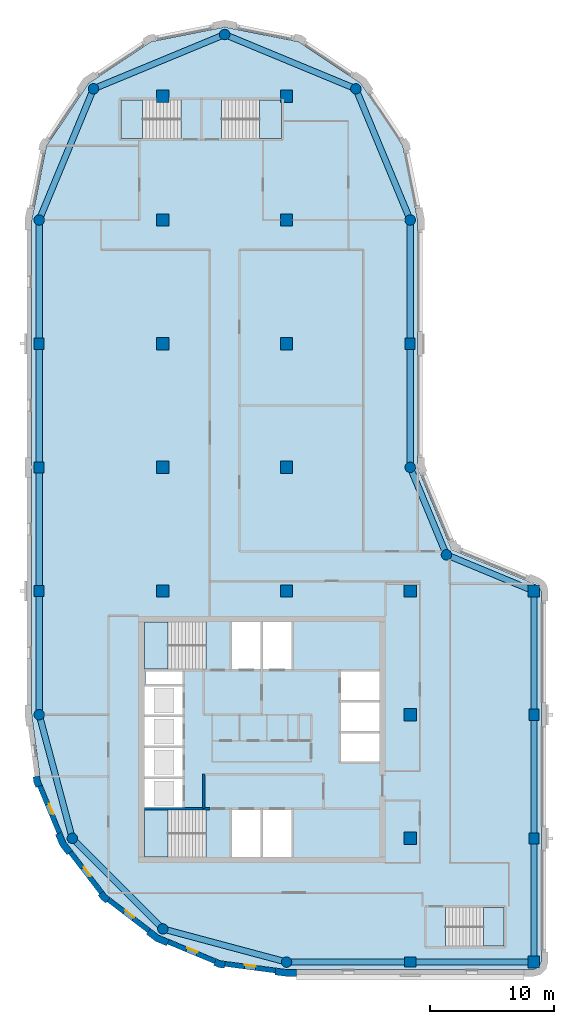
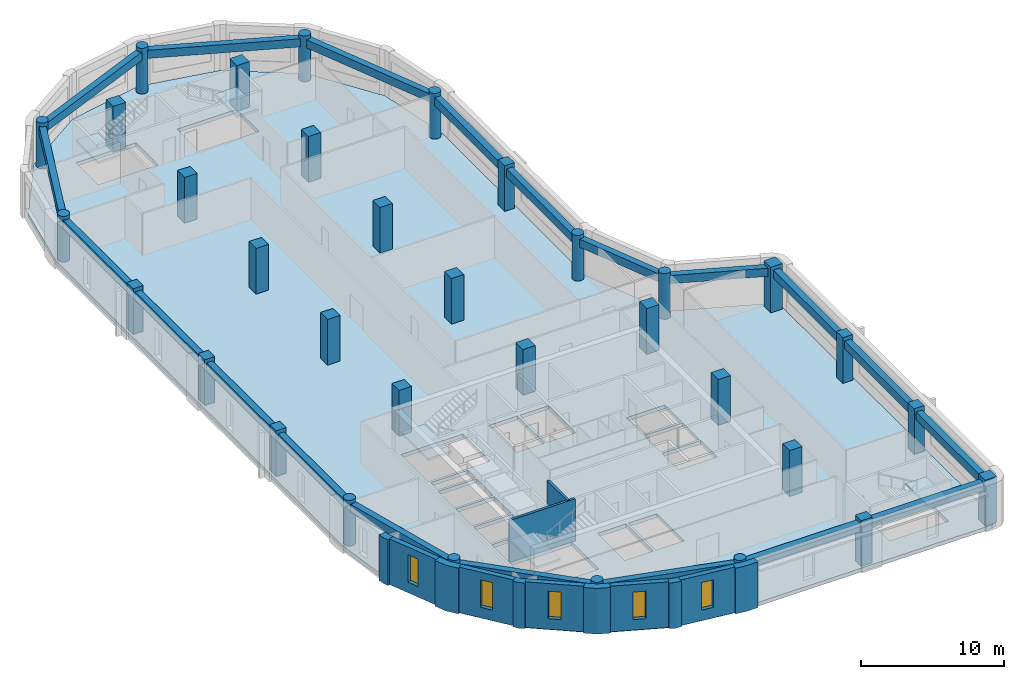
# One storey, part 1 of 8: 33 columns, 20 beams, 13 walls, 6 slabs, 5 windows, 5 openings, 5 elements without a shape of their own.
"""IFC4 building model written with IfcOpenShell, lengths in metres."""

from ifc_helpers import new_model, si_unit, direction, frame, frame_2d, origin, origin_2d, place, context, subcontext, project, spatial, polyline, rectangle, circle, outline, extrude, material, layer, layer_set, material_profile, profile_set, type_object, element, fill, aggregate, save


model = new_model("IFC4")

# Units and contexts
model_context = context("Model", 3, precision=1e-05, world=origin(), true_north=direction((0.0, 1.0)))
body_context = subcontext(model_context, "Body", "Model", "MODEL_VIEW")
ifc_project = project(units=[si_unit("LENGTHUNIT", "METRE"), si_unit("AREAUNIT", "SQUARE_METRE"), si_unit("VOLUMEUNIT", "CUBIC_METRE"), si_unit("PLANEANGLEUNIT", "RADIAN"), si_unit("MASSUNIT", "GRAM", prefix="KILO")], contexts=[model_context])

# Site, building, storey
site_placement = place(None, origin())
site = spatial("IfcSite", under=ifc_project, at=site_placement, CompositionType="ELEMENT")
building_placement = place(site_placement, origin())
building = spatial("IfcBuilding", under=site, at=building_placement, Name="Qaws Garden Tower", CompositionType="ELEMENT")
storey_placement = place(building_placement, frame((0.0, 0.0, 341.10009765625)))
storey = spatial("IfcBuildingStorey", under=building, at=storey_placement, Name="L83", CompositionType="ELEMENT", Elevation=341.10009765625)

# Columns
ifc_material_1 = material(Name="Concrete C60", Category="concrete")
ifc_material_profile_1 = material_profile(ifc_material_1, rectangle(XDim=1.0, YDim=1.0, at=origin_2d()), Name="RC 1000x1000")
ifc_profile_set_1 = profile_set([ifc_material_profile_1], Name="Concrete C60")
column_type_1 = type_object("IfcColumnType", Name="Column RC 1000x1000 C60", PredefinedType="COLUMN", material=ifc_profile_set_1)
for number, where, z_axis, x_axis, name in (
    (1, (10.0, 30.0, 0.0), (0.0, 0.0, 1.0), (1.0, 0.0, 0.0), "Column L83-021"),
    (2, (10.0, 40.0, 0.0), (0.0, 0.0, 1.0), (1.0, 0.0, 0.0), "Column L83-022"),
    (3, (10.0, 50.0, 0.0), (0.0, 0.0, 1.0), (1.0, 0.0, 0.0), "Column L83-023"),
    (4, (10.0, 60.0, 0.0), (0.0, 0.0, 1.0), (1.0, 0.0, 0.0), "Column L83-024"),
    (5, (10.0, 70.0, 0.0), (0.0, 0.0, 1.0), (1.0, 0.0, 0.0), "Column L83-025"),
    (6, (20.0, 30.0, 0.0), (0.0, 0.0, 1.0), (1.0, 0.0, 0.0), "Column L83-026"),
    (7, (20.0, 40.0, 0.0), (0.0, 0.0, 1.0), (1.0, 0.0, 0.0), "Column L83-027"),
    (8, (20.0, 50.0, 0.0), (0.0, 0.0, 1.0), (1.0, 0.0, 0.0), "Column L83-028"),
    (9, (20.0, 60.0, 0.0), (0.0, 0.0, 1.0), (1.0, 0.0, 0.0), "Column L83-029"),
    (10, (20.0, 70.0, 0.0), (0.0, 0.0, 1.0), (1.0, 0.0, 0.0), "Column L83-030"),
    (11, (30.0, 10.0, 0.0), (0.0, 0.0, 1.0), (1.0, 0.0, 0.0), "Column L83-031"),
    (12, (30.0, 20.0, 0.0), (0.0, 0.0, 1.0), (1.0, 0.0, 0.0), "Column L83-032"),
    (13, (30.0, 30.0, 0.0), (0.0, 0.0, 1.0), (1.0, 0.0, 0.0), "Column L83-033"),
):
    element("IfcColumn", number, at=place(storey_placement, frame(where, z_axis=z_axis, x_axis=x_axis)), inside=storey, type_object=column_type_1, Name=name, PredefinedType="COLUMN", context=body_context, shape_type="SweptSolid", body=[
        extrude(rectangle(XDim=1.0, YDim=1.0, at=origin_2d()), origin(), (0.0, 0.0, 1.0), 3.89990234375),
    ])
ifc_material_2 = material(Name="Concrete C60", Category="concrete")
ifc_material_profile_2 = material_profile(ifc_material_2, rectangle(XDim=0.89990234375, YDim=0.800048828125, at=origin_2d()), Name="RC 900x800")
ifc_profile_set_2 = profile_set([ifc_material_profile_2], Name="Concrete C60")
column_type_2 = type_object("IfcColumnType", Name="Column RC 900x800 C60", PredefinedType="COLUMN", material=ifc_profile_set_2)
for number, where, z_axis, x_axis, name in (
    (14, (30.0, 0.0, 0.0), (0.0, 0.0, 1.0), (1.0, 0.0, 0.0), "Column L83-002"),
    (15, (40.0, 10.0, 0.0), (0.0, 0.0, 1.0), (0.0, 1.0, 0.0), "Column L83-004"),
    (16, (40.0, 20.0, 0.0), (0.0, 0.0, 1.0), (0.0, 1.0, 0.0), "Column L83-005"),
    (17, (30.0, 50.0, 0.0), (0.0, 0.0, 1.0), (0.0, 1.0, 0.0), "Column L83-009"),
    (18, (0.0, 50.0, 0.0), (0.0, 0.0, 1.0), (0.0, 1.0, 0.0), "Column L83-015"),
    (19, (0.0, 40.0, 0.0), (0.0, 0.0, 1.0), (0.0, 1.0, 0.0), "Column L83-016"),
    (20, (0.0, 30.0, 0.0), (0.0, 0.0, 1.0), (0.0, 1.0, 0.0), "Column L83-017"),
):
    element("IfcColumn", number, at=place(storey_placement, frame(where, z_axis=z_axis, x_axis=x_axis)), inside=storey, type_object=column_type_2, Name=name, PredefinedType="COLUMN", context=body_context, shape_type="SweptSolid", body=[
        extrude(rectangle(XDim=0.89990234375, YDim=0.800048828125, at=origin_2d()), origin(), (0.0, 0.0, 1.0), 3.89990234375),
    ])
ifc_material_3 = material(Name="Concrete C60", Category="concrete")
ifc_material_profile_3 = material_profile(ifc_material_3, rectangle(XDim=0.949951171875, YDim=0.949951171875, at=origin_2d()), Name="RC 950x950")
ifc_profile_set_3 = profile_set([ifc_material_profile_3], Name="Concrete C60")
column_type_3 = type_object("IfcColumnType", Name="Column RC 950x950 C60", PredefinedType="COLUMN", material=ifc_profile_set_3)
for number, where, z_axis, x_axis, name in (
    (21, (40.0, 0.0, 0.0), (0.0, 0.0, 1.0), (1.0, 0.0, 0.0), "Column L83-003"),
    (22, (40.0, 30.0, 0.0), (0.0, 0.0, 1.0), (1.0, 0.0, 0.0), "Column L83-006"),
):
    element("IfcColumn", number, at=place(storey_placement, frame(where, z_axis=z_axis, x_axis=x_axis)), inside=storey, type_object=column_type_3, Name=name, PredefinedType="COLUMN", context=body_context, shape_type="SweptSolid", body=[
        extrude(rectangle(XDim=0.949951171875, YDim=0.949951171875, at=origin_2d()), origin(), (0.0, 0.0, 1.0), 3.89990234375),
    ])
ifc_material_4 = material(Name="Concrete C60", Category="concrete")
ifc_material_profile_4 = material_profile(ifc_material_4, circle(Radius=0.425048828125, at=origin_2d()), Name="RC D850")
ifc_profile_set_4 = profile_set([ifc_material_profile_4], Name="Concrete C60")
column_type_4 = type_object("IfcColumnType", Name="Column RC D850 C60", PredefinedType="COLUMN", material=ifc_profile_set_4)
for number, where, z_axis, x_axis, name in (
    (23, (20.0, 0.0, 0.0), (0.0, 0.0, 1.0), (1.0, 0.0, 0.0), "Column L83-001"),
    (24, (32.928955078125, 32.928955078125, 0.0), (0.0, 0.0, 1.0), (1.0, 0.0, 0.0), "Column L83-007"),
    (25, (30.0, 40.0, 0.0), (0.0, 0.0, 1.0), (1.0, 0.0, 0.0), "Column L83-008"),
    (26, (30.0, 60.0, 0.0), (0.0, 0.0, 1.0), (1.0, 0.0, 0.0), "Column L83-010"),
    (27, (25.606689453125, 70.606689453125, 0.0), (0.0, 0.0, 1.0), (1.0, 0.0, 0.0), "Column L83-011"),
    (28, (15.0, 75.0, 0.0), (0.0, 0.0, 1.0), (1.0, 0.0, 0.0), "Column L83-012"),
    (29, (4.393310546875, 70.606689453125, 0.0), (0.0, 0.0, 1.0), (1.0, 0.0, 0.0), "Column L83-013"),
    (30, (0.0, 60.0, 0.0), (0.0, 0.0, 1.0), (1.0, 0.0, 0.0), "Column L83-014"),
    (31, (0.0, 20.0, 0.0), (0.0, 0.0, 1.0), (1.0, 0.0, 0.0), "Column L83-018"),
    (32, (2.679443359375, 10.0, 0.0), (0.0, 0.0, 1.0), (1.0, 0.0, 0.0), "Column L83-019"),
    (33, (10.0, 2.679443359375, 0.0), (0.0, 0.0, 1.0), (1.0, 0.0, 0.0), "Column L83-020"),
):
    element("IfcColumn", number, at=place(storey_placement, frame(where, z_axis=z_axis, x_axis=x_axis)), inside=storey, type_object=column_type_4, Name=name, PredefinedType="COLUMN", context=body_context, shape_type="SweptSolid", body=[
        extrude(circle(Radius=0.425048828125, at=origin_2d()), origin(), (0.0, 0.0, 1.0), 3.89990234375),
    ])

# Beams
ifc_material_5 = material(Name="Concrete C45", Category="concrete")
ifc_material_profile_5 = material_profile(ifc_material_5, rectangle(XDim=0.5, YDim=0.699951171875, at=origin_2d()), Name="RC 500x700")
ifc_profile_set_5 = profile_set([ifc_material_profile_5], Name="Concrete C45")
beam_type = type_object("IfcBeamType", Name="Spandrel beam RC 500x700 C45", PredefinedType="SPANDREL", material=ifc_profile_set_5)
for number, where, z_axis, x_axis, name in (
    (34, (20.0, 0.0, 3.22998046875), (1.0, 0.0, 0.0), (0.0, 1.0, 0.0), "Spandrel beam L83-001"),
    (35, (30.0, 0.0, 3.22998046875), (1.0, 0.0, 0.0), (0.0, 1.0, 0.0), "Spandrel beam L83-002"),
    (36, (40.0, 0.0, 3.22998046875), (0.0, 1.0, 0.0), (-1.0, 0.0, 0.0), "Spandrel beam L83-003"),
    (37, (40.0, 10.0, 3.22998046875), (0.0, 1.0, 0.0), (-1.0, 0.0, 0.0), "Spandrel beam L83-004"),
    (38, (40.0, 20.0, 3.22998046875), (0.0, 1.0, 0.0), (-1.0, 0.0, 0.0), "Spandrel beam L83-005"),
):
    element("IfcBeam", number, at=place(storey_placement, frame(where, z_axis=z_axis, x_axis=x_axis)), inside=storey, type_object=beam_type, Name=name, PredefinedType="SPANDREL", context=body_context, shape_type="SweptSolid", body=[
        extrude(rectangle(XDim=0.5, YDim=0.699951171875, at=origin_2d()), origin(), (0.0, 0.0, 1.0), 10.0),
    ])
for number, where, z_axis, x_axis, name in (
    (39, (40.0, 30.0, 3.22998046875), (-0.923878037141, 0.382687042488, 0.0), (-0.382687042488, -0.923878037141, 0.0), "Spandrel beam L83-006"),
    (40, (32.928955078125, 32.928955078125, 3.22998046875), (-0.382687042488, 0.923878037141, 0.0), (-0.923878037141, -0.382687042488, 0.0), "Spandrel beam L83-007"),
):
    element("IfcBeam", number, at=place(storey_placement, frame(where, z_axis=z_axis, x_axis=x_axis)), inside=storey, type_object=beam_type, Name=name, PredefinedType="SPANDREL", context=body_context, shape_type="SweptSolid", body=[
        extrude(rectangle(XDim=0.5, YDim=0.699951171875, at=origin_2d()), origin(), (0.0, 0.0, 1.0), 7.653564453125),
    ])
for number, where, z_axis, x_axis, name in (
    (41, (30.0, 40.0, 3.22998046875), (0.0, 1.0, 0.0), (-1.0, 0.0, 0.0), "Spandrel beam L83-008"),
    (42, (30.0, 50.0, 3.22998046875), (0.0, 1.0, 0.0), (-1.0, 0.0, 0.0), "Spandrel beam L83-009"),
):
    element("IfcBeam", number, at=place(storey_placement, frame(where, z_axis=z_axis, x_axis=x_axis)), inside=storey, type_object=beam_type, Name=name, PredefinedType="SPANDREL", context=body_context, shape_type="SweptSolid", body=[
        extrude(rectangle(XDim=0.5, YDim=0.699951171875, at=origin_2d()), origin(), (0.0, 0.0, 1.0), 10.0),
    ])
for number, where, z_axis, x_axis, name in (
    (43, (30.0, 60.0, 3.22998046875), (-0.382674207535, 0.923883353507, 0.0), (-0.923883353507, -0.382674207535, 0.0), "Spandrel beam L83-010"),
    (44, (25.606689453125, 70.606689453125, 3.22998046875), (-0.923883353507, 0.382674207535, 0.0), (-0.382674207535, -0.923883353507, 0.0), "Spandrel beam L83-011"),
    (45, (15.0, 75.0, 3.22998046875), (-0.923883353507, -0.382674207535, 0.0), (0.382674207535, -0.923883353507, 0.0), "Spandrel beam L83-012"),
    (46, (4.393310546875, 70.606689453125, 3.22998046875), (-0.382674207535, -0.923883353507, 0.0), (0.923883353507, -0.382674207535, 0.0), "Spandrel beam L83-013"),
):
    element("IfcBeam", number, at=place(storey_placement, frame(where, z_axis=z_axis, x_axis=x_axis)), inside=storey, type_object=beam_type, Name=name, PredefinedType="SPANDREL", context=body_context, shape_type="SweptSolid", body=[
        extrude(rectangle(XDim=0.5, YDim=0.699951171875, at=origin_2d()), origin(), (0.0, 0.0, 1.0), 11.48046875),
    ])
for number, where, z_axis, x_axis, name in (
    (47, (0.0, 60.0, 3.22998046875), (0.0, -1.0, 0.0), (1.0, 0.0, 0.0), "Spandrel beam L83-014"),
    (48, (0.0, 50.0, 3.22998046875), (0.0, -1.0, 0.0), (1.0, 0.0, 0.0), "Spandrel beam L83-015"),
    (49, (0.0, 40.0, 3.22998046875), (0.0, -1.0, 0.0), (1.0, 0.0, 0.0), "Spandrel beam L83-016"),
    (50, (0.0, 30.0, 3.22998046875), (0.0, -1.0, 0.0), (1.0, 0.0, 0.0), "Spandrel beam L83-017"),
):
    element("IfcBeam", number, at=place(storey_placement, frame(where, z_axis=z_axis, x_axis=x_axis)), inside=storey, type_object=beam_type, Name=name, PredefinedType="SPANDREL", context=body_context, shape_type="SweptSolid", body=[
        extrude(rectangle(XDim=0.5, YDim=0.699951171875, at=origin_2d()), origin(), (0.0, 0.0, 1.0), 10.0),
    ])
for number, where, z_axis, x_axis, name in (
    (51, (0.0, 20.0, 3.22998046875), (0.25881466832, -0.965926999034, 0.0), (0.965926999034, 0.25881466832, 0.0), "Spandrel beam L83-018"),
    (52, (2.679443359375, 10.0, 3.22998046875), (0.707106781187, -0.707106781187, 0.0), (0.707106781187, 0.707106781187, 0.0), "Spandrel beam L83-019"),
    (53, (10.0, 2.679443359375, 3.22998046875), (0.965926999034, -0.25881466832, 0.0), (0.25881466832, 0.965926999034, 0.0), "Spandrel beam L83-020"),
):
    element("IfcBeam", number, at=place(storey_placement, frame(where, z_axis=z_axis, x_axis=x_axis)), inside=storey, type_object=beam_type, Name=name, PredefinedType="SPANDREL", context=body_context, shape_type="SweptSolid", body=[
        extrude(rectangle(XDim=0.5, YDim=0.699951171875, at=origin_2d()), origin(), (0.0, 0.0, 1.0), 10.352783203125),
    ])

# Slab
ifc_material_6 = material(Name="Concrete C40", Category="concrete")
ifc_layer_1 = layer(ifc_material_6, 0.320068359375)
ifc_layer_set_1 = layer_set([ifc_layer_1], Name="Concrete C40")
slab_type_1 = type_object("IfcSlabType", Name="Floor slab 320 C40", PredefinedType="FLOOR", material=ifc_layer_set_1)
slab_1_placement = place(storey_placement, frame((0.0, 0.0, -0.320068359375)))
element("IfcSlab", 54, at=slab_1_placement, inside=storey, type_object=slab_type_1, Name="Floor slab L83", PredefinedType="FLOOR", context=body_context, shape_type="SweptSolid", body=[
    extrude(outline(polyline([(0.101806640625, 14.668212890625), (-0.60009765625, 20.0), (-0.60009765625, 30.60009765625), (-0.60009765625, 60.0), (-0.60009765625, 60.0), (0.58740234375, 65.969970703125), (3.968994140625, 71.031005859375), (9.030029296875, 74.41259765625), (15.0, 75.60009765625), (20.969970703125, 74.41259765625), (26.031005859375, 71.031005859375), (29.41259765625, 65.969970703125), (30.60009765625, 60.0), (30.60009765625, 40.0), (33.353271484375, 33.353271484375), (40.0, 30.60009765625), (40.42431640625, 30.42431640625), (40.60009765625, 30.0), (40.60009765625, 0.0), (40.42431640625, -0.42431640625), (40.0, -0.60009765625), (30.60009765625, -0.60009765625), (20.0, -0.60009765625), (14.668212890625, 0.101806640625), (9.699951171875, 2.159912109375), (5.43359375, 5.43359375), (2.159912109375, 9.699951171875), (0.101806640625, 14.668212890625)]), holes=[polyline([(13.49951171875, 12.300048828125), (8.5, 12.300048828125), (8.5, 8.5), (13.49951171875, 8.5), (13.49951171875, 12.300048828125)]), polyline([(17.89990234375, 12.300048828125), (15.60009765625, 12.300048828125), (15.60009765625, 8.5), (17.89990234375, 8.5), (17.89990234375, 12.300048828125)]), polyline([(11.60009765625, 14.800048828125), (8.5, 14.800048828125), (8.5, 12.5), (11.60009765625, 12.5), (11.60009765625, 14.800048828125)]), polyline([(11.60009765625, 17.300048828125), (8.5, 17.300048828125), (8.5, 15.0), (11.60009765625, 15.0), (11.60009765625, 17.300048828125)]), polyline([(11.60009765625, 19.800048828125), (8.5, 19.800048828125), (8.5, 17.5), (11.60009765625, 17.5), (11.60009765625, 19.800048828125)]), polyline([(11.60009765625, 22.300048828125), (8.5, 22.300048828125), (8.5, 20.0), (11.60009765625, 20.0), (11.60009765625, 22.300048828125)]), polyline([(11.60009765625, 23.5), (8.60009765625, 23.5), (8.60009765625, 22.5), (11.60009765625, 22.5), (11.60009765625, 23.5)]), polyline([(13.49951171875, 27.5), (8.5, 27.5), (8.5, 23.699951171875), (13.49951171875, 23.699951171875), (13.49951171875, 27.5)]), polyline([(11.449462890625, 69.699951171875), (6.60009765625, 69.699951171875), (6.60009765625, 66.60009765625), (11.449462890625, 66.60009765625), (11.449462890625, 69.699951171875)]), polyline([(37.60009765625, 4.39990234375), (32.8505859375, 4.39990234375), (32.8505859375, 1.300048828125), (37.60009765625, 1.300048828125), (37.60009765625, 4.39990234375)]), polyline([(20.39990234375, 12.300048828125), (18.10009765625, 12.300048828125), (18.10009765625, 8.5), (20.39990234375, 8.5), (20.39990234375, 12.300048828125)]), polyline([(27.5, 18.5), (24.39990234375, 18.5), (24.39990234375, 16.199951171875), (27.5, 16.199951171875), (27.5, 18.5)]), polyline([(27.5, 21.0), (24.39990234375, 21.0), (24.39990234375, 18.699951171875), (27.5, 18.699951171875), (27.5, 21.0)]), polyline([(27.5, 23.5), (24.39990234375, 23.5), (24.39990234375, 21.199951171875), (27.5, 21.199951171875), (27.5, 23.5)]), polyline([(17.89990234375, 27.5), (15.60009765625, 27.5), (15.60009765625, 23.699951171875), (17.89990234375, 23.699951171875), (17.89990234375, 27.5)]), polyline([(20.39990234375, 23.699951171875), (20.39990234375, 27.5), (18.10009765625, 27.5), (18.10009765625, 23.699951171875), (20.39990234375, 23.699951171875)]), polyline([(19.60009765625, 66.60009765625), (19.60009765625, 69.699951171875), (14.75048828125, 69.699951171875), (14.75048828125, 66.60009765625), (19.60009765625, 66.60009765625)])]), origin(), (0.0, 0.0, 1.0), 0.320068359375),
])

# Stair, slab
ifc_material_7 = material(Name="Concrete C40", Category="concrete")
stair_type_1 = type_object("IfcStairType", Name="Exit stair 1500", PredefinedType="HALF_TURN_STAIR", material=ifc_material_7)
placement_1 = place(storey_placement, origin())
stair_1 = element("IfcStair", 55, at=placement_1, inside=storey, type_object=stair_type_1, Name="Stair 1", PredefinedType="HALF_TURN_STAIR")
ifc_material_8 = material(Name="Concrete C40", Category="concrete")
ifc_layer_2 = layer(ifc_material_8, 0.199951171875)
ifc_layer_set_2 = layer_set([ifc_layer_2], Name="Concrete C40")
slab_type_2 = type_object("IfcSlabType", Name="Stair landing 200", PredefinedType="LANDING", material=ifc_layer_set_2)
placement_2 = place(storey_placement, frame((0.0, 0.0, 1.75)))
slab_2 = element("IfcSlab", 56, at=placement_2, type_object=slab_type_2, Name="ST1 landing 1", PredefinedType="LANDING", context=body_context, shape_type="SweptSolid", body=[
    extrude(outline(polyline([(8.5, 8.5), (10.419921875, 8.5), (10.419921875, 12.300048828125), (8.5, 12.300048828125), (8.5, 8.5)])), origin(), (0.0, 0.0, 1.0), 0.199951171875),
])
aggregate(stair_1, [slab_2])

stair_2 = element("IfcStair", 57, at=placement_1, inside=storey, type_object=stair_type_1, Name="Stair 4", PredefinedType="HALF_TURN_STAIR")
slab_3 = element("IfcSlab", 58, at=placement_2, type_object=slab_type_2, Name="ST4 landing 1", PredefinedType="LANDING", context=body_context, shape_type="SweptSolid", body=[
    extrude(outline(polyline([(8.5, 23.699951171875), (10.419921875, 23.699951171875), (10.419921875, 27.5), (8.5, 27.5), (8.5, 23.699951171875)])), origin(), (0.0, 0.0, 1.0), 0.199951171875),
])
aggregate(stair_2, [slab_3])

ifc_material_9 = material(Name="Concrete C40", Category="concrete")
stair_type_2 = type_object("IfcStairType", Name="Exit stair 1350", PredefinedType="HALF_TURN_STAIR", material=ifc_material_9)
stair_3 = element("IfcStair", 59, at=placement_1, inside=storey, type_object=stair_type_2, Name="Stair 5", PredefinedType="HALF_TURN_STAIR")
slab_4 = element("IfcSlab", 60, at=placement_2, type_object=slab_type_2, Name="ST5 landing 1", PredefinedType="LANDING", context=body_context, shape_type="SweptSolid", body=[
    extrude(outline(polyline([(35.929931640625, 1.300048828125), (37.60009765625, 1.300048828125), (37.60009765625, 4.39990234375), (35.929931640625, 4.39990234375), (35.929931640625, 1.300048828125)])), origin(), (0.0, 0.0, 1.0), 0.199951171875),
])
aggregate(stair_3, [slab_4])

stair_4 = element("IfcStair", 61, at=placement_1, inside=storey, type_object=stair_type_2, Name="Stair 6", PredefinedType="HALF_TURN_STAIR")
slab_5 = element("IfcSlab", 62, at=placement_2, type_object=slab_type_2, Name="ST6 landing 1", PredefinedType="LANDING", context=body_context, shape_type="SweptSolid", body=[
    extrude(outline(polyline([(6.60009765625, 66.60009765625), (8.3701171875, 66.60009765625), (8.3701171875, 69.699951171875), (6.60009765625, 69.699951171875), (6.60009765625, 66.60009765625)])), origin(), (0.0, 0.0, 1.0), 0.199951171875),
])
aggregate(stair_4, [slab_5])

stair_5 = element("IfcStair", 63, at=placement_1, inside=storey, type_object=stair_type_2, Name="Stair 7", PredefinedType="HALF_TURN_STAIR")
slab_6 = element("IfcSlab", 64, at=placement_2, type_object=slab_type_2, Name="ST7 landing 1", PredefinedType="LANDING", context=body_context, shape_type="SweptSolid", body=[
    extrude(outline(polyline([(17.830078125, 66.60009765625), (19.60009765625, 66.60009765625), (19.60009765625, 69.699951171875), (17.830078125, 69.699951171875), (17.830078125, 66.60009765625)])), origin(), (0.0, 0.0, 1.0), 0.199951171875),
])
aggregate(stair_5, [slab_6])

# Wall, opening, window
ifc_material_10 = material(Name="Clay facing brick masonry", Category="masonry")
ifc_layer_3 = layer(ifc_material_10, 0.39990234375)
ifc_layer_set_3 = layer_set([ifc_layer_3], Name="Clay facing brick masonry")
wall_type_1 = type_object("IfcWallType", Name="Brick infill wall 400", PredefinedType="SOLIDWALL", material=ifc_layer_set_3)
wall_1_placement = place(storey_placement, frame((0.05712890625, 14.240234375, 0.0), z_axis=(0.0, 0.0, 1.0), x_axis=(0.382721546029, -0.923863744394, 0.0)))
wall_1 = element("IfcWall", 65, at=wall_1_placement, inside=storey, type_object=wall_type_1, Name="E-L83-infill-22", PredefinedType="SOLIDWALL", context=body_context, shape_type="SweptSolid", body=[
    extrude(rectangle(XDim=4.120849609375, YDim=0.39990234375, at=frame_2d((2.060546875, 0.0))), origin(), (0.0, 0.0, 1.0), 3.89990234375),
])
opening_1_placement = place(wall_1_placement, frame((1.610595703125, 0.0, 0.89990234375)))
opening_1 = element("IfcOpeningElement", 66, at=opening_1_placement, cuts=wall_1, Name="Opening W09", PredefinedType="OPENING", context=body_context, shape_type="SweptSolid", body=[
    extrude(rectangle(XDim=0.89990234375, YDim=2.35009765625, at=frame_2d((0.449951171875, 1.175048828125))), frame((0.0, 0.2099609375, 0.0), z_axis=(0.0, -1.0, 0.0), x_axis=(1.0, 0.0, 0.0)), (0.0, 0.0, 1.0), 0.419921875),
])
ifc_material_11 = material(Name="Aluminium framed window, clear glazing", Category="aluminium")
window_type = type_object("IfcWindowType", Name="Slit window 900 x 2350", PartitioningType="SINGLE_PANEL", PredefinedType="WINDOW", material=ifc_material_11)
window_1_placement = place(opening_1_placement, origin())
window_1 = element("IfcWindow", 67, at=window_1_placement, inside=storey, type_object=window_type, Name="E-L83-window-22-0", OverallHeight=2.35009765625, OverallWidth=0.89990234375, PartitioningType="SINGLE_PANEL", PredefinedType="WINDOW", context=body_context, shape_type="SweptSolid", body=[
    extrude(rectangle(XDim=0.89990234375, YDim=2.35009765625, at=frame_2d((0.449951171875, 1.175048828125))), frame((0.0, 0.159912109375, 0.0), z_axis=(0.0, -1.0, 0.0), x_axis=(1.0, 0.0, 0.0)), (0.0, 0.0, 1.0), 0.06005859375),
])
fill(opening_1, window_1)

wall_2_placement = place(storey_placement, frame((2.53173828125, 8.87841796875, 0.0), z_axis=(0.0, 0.0, 1.0), x_axis=(0.608759824817, -0.793354571229, 0.0)))
wall_2 = element("IfcWall", 68, at=wall_2_placement, inside=storey, type_object=wall_type_1, Name="E-L83-infill-23", PredefinedType="SOLIDWALL", context=body_context, shape_type="SweptSolid", body=[
    extrude(rectangle(XDim=4.12109375, YDim=0.39990234375, at=frame_2d((2.060546875, 0.0))), origin(), (0.0, 0.0, 1.0), 3.89990234375),
])
opening_2_placement = place(wall_2_placement, frame((1.610595703125, 0.0, 0.89990234375)))
opening_2 = element("IfcOpeningElement", 69, at=opening_2_placement, cuts=wall_2, Name="Opening W09", PredefinedType="OPENING", context=body_context, shape_type="SweptSolid", body=[
    extrude(rectangle(XDim=0.89990234375, YDim=2.35009765625, at=frame_2d((0.449951171875, 1.175048828125))), frame((0.0, 0.2099609375, 0.0), z_axis=(0.0, -1.0, 0.0), x_axis=(1.0, 0.0, 0.0)), (0.0, 0.0, 1.0), 0.419921875),
])
window_2_placement = place(opening_2_placement, origin())
window_2 = element("IfcWindow", 70, at=window_2_placement, inside=storey, type_object=window_type, Name="E-L83-window-23-0", OverallHeight=2.35009765625, OverallWidth=0.89990234375, PartitioningType="SINGLE_PANEL", PredefinedType="WINDOW", context=body_context, shape_type="SweptSolid", body=[
    extrude(rectangle(XDim=0.89990234375, YDim=2.35009765625, at=frame_2d((0.449951171875, 1.175048828125))), frame((0.0, 0.159912109375, 0.0), z_axis=(0.0, -1.0, 0.0), x_axis=(1.0, 0.0, 0.0)), (0.0, 0.0, 1.0), 0.06005859375),
])
fill(opening_2, window_2)

wall_3_placement = place(storey_placement, frame((5.60888671875, 5.04052734375, 0.0), z_axis=(0.0, 0.0, 1.0), x_axis=(0.793354571229, -0.608759824817, 0.0)))
wall_3 = element("IfcWall", 71, at=wall_3_placement, inside=storey, type_object=wall_type_1, Name="E-L83-infill-24", PredefinedType="SOLIDWALL", context=body_context, shape_type="SweptSolid", body=[
    extrude(rectangle(XDim=4.12109375, YDim=0.39990234375, at=frame_2d((2.060546875, 0.0))), origin(), (0.0, 0.0, 1.0), 3.89990234375),
])
opening_3_placement = place(wall_3_placement, frame((1.610595703125, 0.0, 0.89990234375)))
opening_3 = element("IfcOpeningElement", 72, at=opening_3_placement, cuts=wall_3, Name="Opening W09", PredefinedType="OPENING", context=body_context, shape_type="SweptSolid", body=[
    extrude(rectangle(XDim=0.89990234375, YDim=2.35009765625, at=frame_2d((0.449951171875, 1.175048828125))), frame((0.0, 0.2099609375, 0.0), z_axis=(0.0, -1.0, 0.0), x_axis=(1.0, 0.0, 0.0)), (0.0, 0.0, 1.0), 0.419921875),
])
window_3_placement = place(opening_3_placement, origin())
window_3 = element("IfcWindow", 73, at=window_3_placement, inside=storey, type_object=window_type, Name="E-L83-window-24-0", OverallHeight=2.35009765625, OverallWidth=0.89990234375, PartitioningType="SINGLE_PANEL", PredefinedType="WINDOW", context=body_context, shape_type="SweptSolid", body=[
    extrude(rectangle(XDim=0.89990234375, YDim=2.35009765625, at=frame_2d((0.449951171875, 1.175048828125))), frame((0.0, 0.159912109375, 0.0), z_axis=(0.0, -1.0, 0.0), x_axis=(1.0, 0.0, 0.0)), (0.0, 0.0, 1.0), 0.06005859375),
])
fill(opening_3, window_3)

wall_4_placement = place(storey_placement, frame((10.43310546875, 1.63427734375, 0.0), z_axis=(0.0, 0.0, 1.0), x_axis=(0.923863744394, -0.382721546029, 0.0)))
wall_4 = element("IfcWall", 74, at=wall_4_placement, inside=storey, type_object=wall_type_1, Name="E-L83-infill-25", PredefinedType="SOLIDWALL", context=body_context, shape_type="SweptSolid", body=[
    extrude(rectangle(XDim=4.120849609375, YDim=0.39990234375, at=frame_2d((2.060546875, 0.0))), origin(), (0.0, 0.0, 1.0), 3.89990234375),
])
opening_4_placement = place(wall_4_placement, frame((1.610595703125, 0.0, 0.89990234375)))
opening_4 = element("IfcOpeningElement", 75, at=opening_4_placement, cuts=wall_4, Name="Opening W09", PredefinedType="OPENING", context=body_context, shape_type="SweptSolid", body=[
    extrude(rectangle(XDim=0.89990234375, YDim=2.35009765625, at=frame_2d((0.449951171875, 1.175048828125))), frame((0.0, 0.2099609375, 0.0), z_axis=(0.0, -1.0, 0.0), x_axis=(1.0, 0.0, 0.0)), (0.0, 0.0, 1.0), 0.419921875),
])
window_4_placement = place(opening_4_placement, origin())
window_4 = element("IfcWindow", 76, at=window_4_placement, inside=storey, type_object=window_type, Name="E-L83-window-25-0", OverallHeight=2.35009765625, OverallWidth=0.89990234375, PartitioningType="SINGLE_PANEL", PredefinedType="WINDOW", context=body_context, shape_type="SweptSolid", body=[
    extrude(rectangle(XDim=0.89990234375, YDim=2.35009765625, at=frame_2d((0.449951171875, 1.175048828125))), frame((0.0, 0.159912109375, 0.0), z_axis=(0.0, -1.0, 0.0), x_axis=(1.0, 0.0, 0.0)), (0.0, 0.0, 1.0), 0.06005859375),
])
fill(opening_4, window_4)

wall_5_placement = place(storey_placement, frame((15.0166015625, -0.15087890625, 0.0), z_axis=(0.0, 0.0, 1.0), x_axis=(0.991446429508, -0.130514280502, 0.0)))
wall_5 = element("IfcWall", 77, at=wall_5_placement, inside=storey, type_object=wall_type_1, Name="E-L83-infill-26", PredefinedType="SOLIDWALL", context=body_context, shape_type="SweptSolid", body=[
    extrude(rectangle(XDim=4.120849609375, YDim=0.39990234375, at=frame_2d((2.060546875, 0.0))), origin(), (0.0, 0.0, 1.0), 3.89990234375),
])
opening_5_placement = place(wall_5_placement, frame((1.610595703125, 0.0, 0.89990234375)))
opening_5 = element("IfcOpeningElement", 78, at=opening_5_placement, cuts=wall_5, Name="Opening W09", PredefinedType="OPENING", context=body_context, shape_type="SweptSolid", body=[
    extrude(rectangle(XDim=0.89990234375, YDim=2.35009765625, at=frame_2d((0.449951171875, 1.175048828125))), frame((0.0, 0.2099609375, 0.0), z_axis=(0.0, -1.0, 0.0), x_axis=(1.0, 0.0, 0.0)), (0.0, 0.0, 1.0), 0.419921875),
])
window_5_placement = place(opening_5_placement, origin())
window_5 = element("IfcWindow", 79, at=window_5_placement, inside=storey, type_object=window_type, Name="E-L83-window-26-0", OverallHeight=2.35009765625, OverallWidth=0.89990234375, PartitioningType="SINGLE_PANEL", PredefinedType="WINDOW", context=body_context, shape_type="SweptSolid", body=[
    extrude(rectangle(XDim=0.89990234375, YDim=2.35009765625, at=frame_2d((0.449951171875, 1.175048828125))), frame((0.0, 0.159912109375, 0.0), z_axis=(0.0, -1.0, 0.0), x_axis=(1.0, 0.0, 0.0)), (0.0, 0.0, 1.0), 0.06005859375),
])
fill(opening_5, window_5)

# Walls
ifc_material_12 = material(Name="Clay facing brick masonry", Category="masonry")
ifc_layer_4 = layer(ifc_material_12, 0.550048828125)
ifc_layer_set_4 = layer_set([ifc_layer_4], Name="Clay facing brick masonry")
wall_type_2 = type_object("IfcWallType", Name="Brick kink pier 550 x 600", PredefinedType="SOLIDWALL", material=ifc_layer_set_4)
element("IfcWall", 80, at=placement_1, inside=storey, type_object=wall_type_2, Name="E-L83-pier-22", PredefinedType="SOLIDWALL", context=body_context, shape_type="SweptSolid", body=[
    extrude(outline(polyline([(-0.34912109375, 14.990478515625), (-0.497802734375, 14.970947265625), (-0.43896484375, 14.5234375), (-0.26611328125, 14.1064453125), (-0.127685546875, 14.163818359375), (0.241943359375, 14.31689453125), (0.096923828125, 14.6669921875), (0.04736328125, 15.042724609375), (-0.34912109375, 14.990478515625)])), origin(), (0.0, 0.0, 1.0), 3.89990234375),
])
element("IfcWall", 81, at=placement_1, inside=storey, type_object=wall_type_2, Name="E-L83-pier-24", PredefinedType="SOLIDWALL", context=body_context, shape_type="SweptSolid", body=[
    extrude(outline(polyline([(4.8818359375, 5.487060546875), (4.762939453125, 5.395751953125), (5.03759765625, 5.03759765625), (5.395751953125, 4.762939453125), (5.487060546875, 4.8818359375), (5.730712890625, 5.19921875), (5.429931640625, 5.429931640625), (5.19921875, 5.730712890625), (4.8818359375, 5.487060546875)])), origin(), (0.0, 0.0, 1.0), 3.89990234375),
])
element("IfcWall", 82, at=placement_1, inside=storey, type_object=wall_type_2, Name="E-L83-pier-26", PredefinedType="SOLIDWALL", context=body_context, shape_type="SweptSolid", body=[
    extrude(outline(polyline([(14.163818359375, -0.127685546875), (14.1064453125, -0.26611328125), (14.5234375, -0.43896484375), (14.970947265625, -0.497802734375), (14.990478515625, -0.34912109375), (15.042724609375, 0.04736328125), (14.6669921875, 0.096923828125), (14.31689453125, 0.241943359375), (14.163818359375, -0.127685546875)])), origin(), (0.0, 0.0, 1.0), 3.89990234375),
])
ifc_material_13 = material(Name="Clay facing brick masonry", Category="masonry")
ifc_layer_5 = layer(ifc_material_13, 0.550048828125)
ifc_layer_set_5 = layer_set([ifc_layer_5], Name="Clay facing brick masonry")
wall_type_3 = type_object("IfcWallType", Name="Brick pier 550 x 1600", PredefinedType="SOLIDWALL", material=ifc_layer_set_5)
element("IfcWall", 83, at=placement_1, inside=storey, type_object=wall_type_3, Name="E-L83-pier-00", PredefinedType="SOLIDWALL", context=body_context, shape_type="SweptSolid", body=[
    extrude(outline(polyline([(19.076416015625, -0.886962890625), (19.056640625, -1.03564453125), (19.924560546875, -1.14990234375), (20.800048828125, -1.14990234375), (20.800048828125, -1.0), (20.800048828125, -0.60009765625), (19.960693359375, -0.60009765625), (19.12841796875, -0.490478515625), (19.076416015625, -0.886962890625)])), origin(), (0.0, 0.0, 1.0), 3.89990234375),
])
element("IfcWall", 84, at=placement_1, inside=storey, type_object=wall_type_3, Name="E-L83-pier-23", PredefinedType="SOLIDWALL", context=body_context, shape_type="SweptSolid", body=[
    extrude(outline(polyline([(1.449462890625, 10.3564453125), (1.310791015625, 10.299072265625), (1.675048828125, 9.419921875), (2.254150390625, 8.665283203125), (2.373046875, 8.756591796875), (2.6904296875, 9.0), (2.1552734375, 9.697509765625), (1.819091796875, 10.509521484375), (1.449462890625, 10.3564453125)])), origin(), (0.0, 0.0, 1.0), 3.89990234375),
])
element("IfcWall", 85, at=placement_1, inside=storey, type_object=wall_type_3, Name="E-L83-pier-25", PredefinedType="SOLIDWALL", context=body_context, shape_type="SweptSolid", body=[
    extrude(outline(polyline([(8.756591796875, 2.373046875), (8.665283203125, 2.254150390625), (9.419921875, 1.675048828125), (10.299072265625, 1.310791015625), (10.3564453125, 1.449462890625), (10.509521484375, 1.819091796875), (9.697509765625, 2.1552734375), (9.0, 2.6904296875), (8.756591796875, 2.373046875)])), origin(), (0.0, 0.0, 1.0), 3.89990234375),
])
ifc_material_14 = material(Name="Concrete C60", Category="concrete")
ifc_layer_6 = layer(ifc_material_14, 0.199951171875)
ifc_layer_set_6 = layer_set([ifc_layer_6], Name="Concrete C60")
wall_type_4 = type_object("IfcWallType", Name="Core shaft wall 200 C60", PredefinedType="SHEAR", material=ifc_layer_set_6)
wall_12_placement = place(storey_placement, frame((8.5, 12.39990234375, 0.0), z_axis=(0.0, 0.0, 1.0), x_axis=(1.0, 0.0, 0.0)))
element("IfcWall", 86, at=wall_12_placement, inside=storey, type_object=wall_type_4, Name="Shaft wall", PredefinedType="SHEAR", context=body_context, shape_type="SweptSolid", body=[
    extrude(rectangle(XDim=5.300048828125, YDim=0.199951171875, at=frame_2d((2.64990234375, 0.0))), origin(), (0.0, 0.0, 1.0), 3.579833984375),
])
wall_13_placement = place(storey_placement, frame((13.300048828125, 12.39990234375, 0.0), z_axis=(0.0, 0.0, 1.0), x_axis=(0.0, 1.0, 0.0)))
element("IfcWall", 87, at=wall_13_placement, inside=storey, type_object=wall_type_4, Name="Shaft wall", PredefinedType="SHEAR", context=body_context, shape_type="SweptSolid", body=[
    extrude(rectangle(XDim=2.800048828125, YDim=0.199951171875, at=frame_2d((1.39990234375, 0.0))), origin(), (0.0, 0.0, 1.0), 3.579833984375),
])

save(model, "model.ifc")
